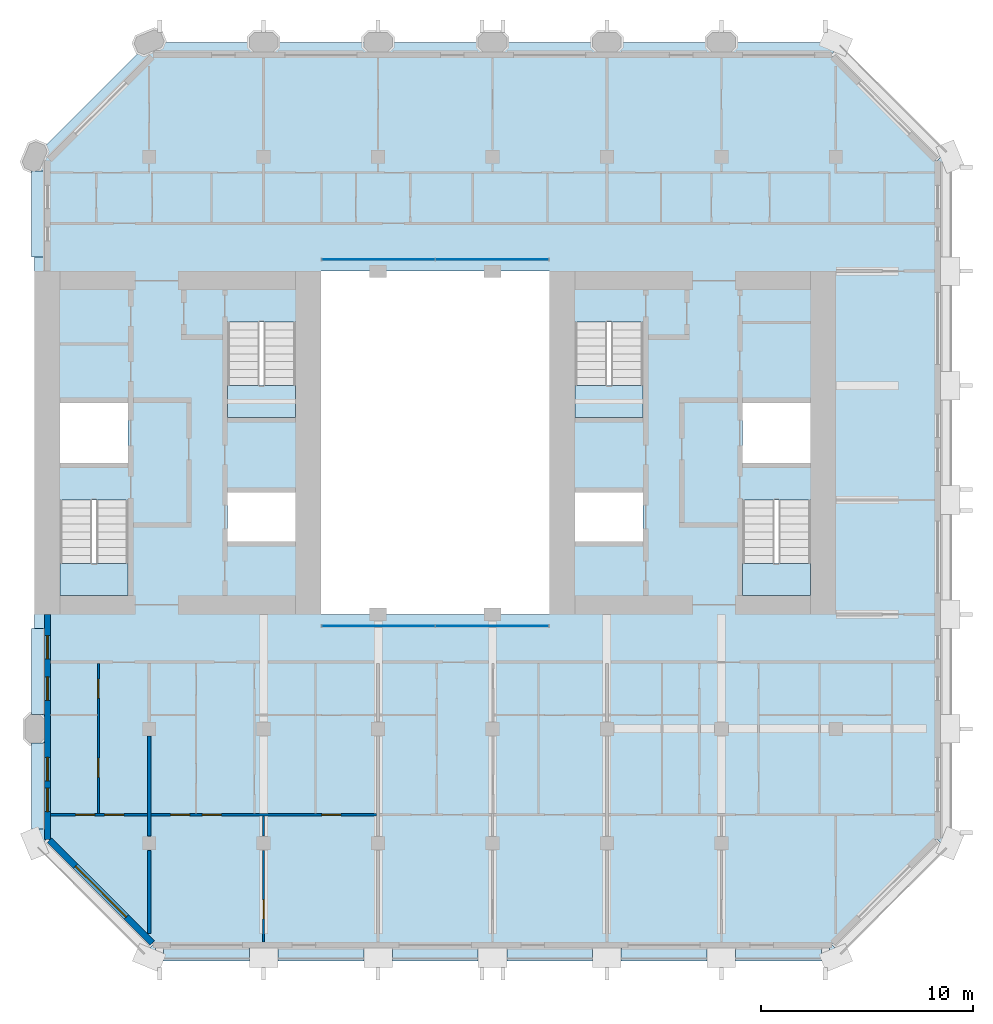
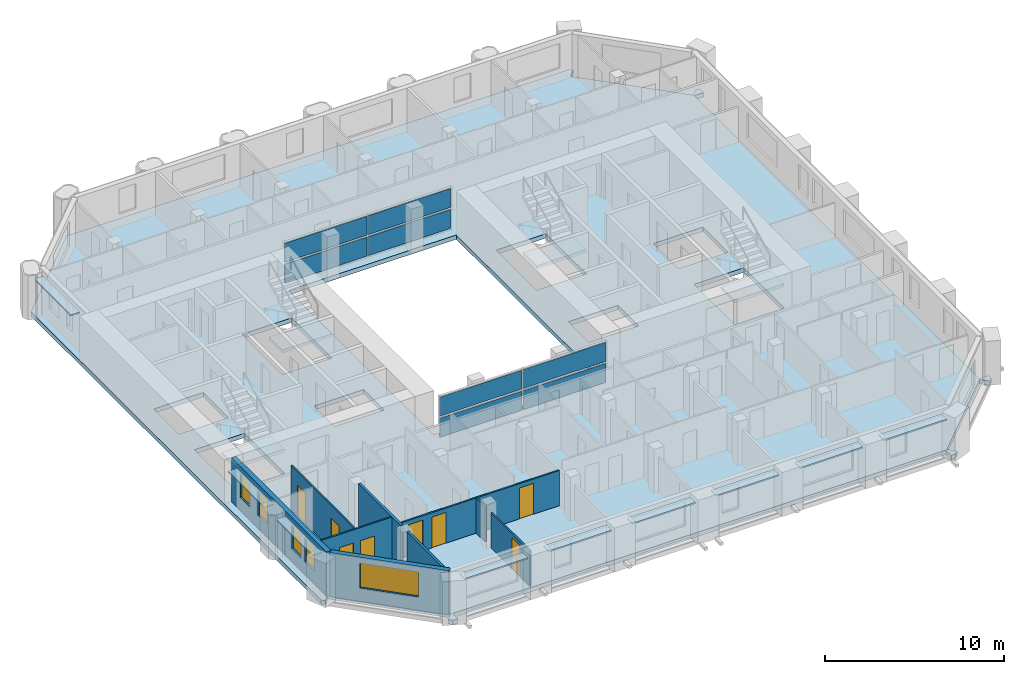
# One storey, part 5 of 13: 17 plates, 9 walls, 8 doors, 5 slabs, 5 windows, 13 openings, 6 elements without a shape of their own.
"""IFC4 building model written with IfcOpenShell, lengths in metres."""

from ifc_helpers import new_model, si_unit, direction, frame, frame_2d, origin, origin_2d, place, context, subcontext, project, spatial, polyline, rectangle, outline, extrude, material, layer, layer_set, type_object, element, fill, aggregate, save


model = new_model("IFC4")

# Units and contexts
model_context = context("Model", 3, precision=1e-05, world=origin(), true_north=direction((0.0, 1.0)))
body_context = subcontext(model_context, "Body", "Model", "MODEL_VIEW")
ifc_project = project(units=[si_unit("LENGTHUNIT", "METRE"), si_unit("AREAUNIT", "SQUARE_METRE"), si_unit("VOLUMEUNIT", "CUBIC_METRE"), si_unit("PLANEANGLEUNIT", "RADIAN"), si_unit("MASSUNIT", "GRAM", prefix="KILO")], contexts=[model_context])

# Site, building, storey
site_placement = place(None, origin())
site = spatial("IfcSite", under=ifc_project, at=site_placement, CompositionType="ELEMENT")
building_placement = place(site_placement, origin())
building = spatial("IfcBuilding", under=site, at=building_placement, Name="Tabaq Tower and Sports Hall", CompositionType="ELEMENT")
storey_placement = place(building_placement, frame((0.0, 0.0, 271.89990234375)))
storey = spatial("IfcBuildingStorey", under=building, at=storey_placement, Name="L66", CompositionType="ELEMENT", Elevation=271.89990234375)

# Curtain wall, plates
ifc_material_1 = material(Name="Aluminium alloy 6063-T6 framed glazing", Category="aluminium")
curtain_wall_type = type_object("IfcCurtainWallType", Name="CW1 curtain wall", PredefinedType="USERDEFINED", material=ifc_material_1)
curtain_wall_1_placement = place(storey_placement, origin())
curtain_wall_1 = element("IfcCurtainWall", 1, at=curtain_wall_1_placement, inside=storey, type_object=curtain_wall_type, Name="Atrium glazing L66 S", ObjectType="ATRIUM ENCLOSURE", PredefinedType="USERDEFINED")
ifc_material_2 = material(Name="Clear low-emissivity glass 28 mm", Category="glass")
ifc_layer_1 = layer(ifc_material_2, 0.028076171875)
ifc_layer_set_1 = layer_set([ifc_layer_1], Name="CW1 glass panel 28")
plate_type_1 = type_object("IfcPlateType", Name="CW1 glass panel 28", PredefinedType="CURTAIN_PANEL", material=ifc_layer_set_1)
plate_1_placement = place(storey_placement, frame((21.614990234375, 15.64990234375, 0.14013671875), z_axis=(0.0, 0.0, 1.0), x_axis=(1.0, 0.0, 0.0)))
plate_1 = element("IfcPlate", 2, at=plate_1_placement, type_object=plate_type_1, Name="CW1 panel 1.1", PredefinedType="CURTAIN_PANEL", context=body_context, shape_type="SweptSolid", body=[
    extrude(rectangle(XDim=5.31005859375, YDim=0.028076171875, at=origin_2d()), origin(), (0.0, 0.0, 1.0), 1.2900390625),
])
plate_2_placement = place(storey_placement, frame((21.614990234375, 15.64990234375, 1.570068359375), z_axis=(0.0, 0.0, 1.0), x_axis=(1.0, 0.0, 0.0)))
plate_2 = element("IfcPlate", 3, at=plate_2_placement, type_object=plate_type_1, Name="CW1 panel 1.2", PredefinedType="CURTAIN_PANEL", context=body_context, shape_type="SweptSolid", body=[
    extrude(rectangle(XDim=5.31005859375, YDim=0.028076171875, at=origin_2d()), origin(), (0.0, 0.0, 1.0), 1.2900390625),
])
plate_3_placement = place(storey_placement, frame((26.985107421875, 15.64990234375, 0.14013671875), z_axis=(0.0, 0.0, 1.0), x_axis=(1.0, 0.0, 0.0)))
plate_3 = element("IfcPlate", 4, at=plate_3_placement, type_object=plate_type_1, Name="CW1 panel 2.1", PredefinedType="CURTAIN_PANEL", context=body_context, shape_type="SweptSolid", body=[
    extrude(rectangle(XDim=5.31005859375, YDim=0.028076171875, at=origin_2d()), origin(), (0.0, 0.0, 1.0), 1.2900390625),
])
plate_4_placement = place(storey_placement, frame((26.985107421875, 15.64990234375, 1.570068359375), z_axis=(0.0, 0.0, 1.0), x_axis=(1.0, 0.0, 0.0)))
plate_4 = element("IfcPlate", 5, at=plate_4_placement, type_object=plate_type_1, Name="CW1 panel 2.2", PredefinedType="CURTAIN_PANEL", context=body_context, shape_type="SweptSolid", body=[
    extrude(rectangle(XDim=5.31005859375, YDim=0.028076171875, at=origin_2d()), origin(), (0.0, 0.0, 1.0), 1.2900390625),
])
aggregate(curtain_wall_1, [plate_1, plate_2, plate_3, plate_4])

curtain_wall_2_placement = place(storey_placement, origin())
curtain_wall_2 = element("IfcCurtainWall", 6, at=curtain_wall_2_placement, inside=storey, type_object=curtain_wall_type, Name="Atrium glazing L66 N", ObjectType="ATRIUM ENCLOSURE", PredefinedType="USERDEFINED")
plate_5_placement = place(storey_placement, frame((21.614990234375, 32.949951171875, 0.14013671875), z_axis=(0.0, 0.0, 1.0), x_axis=(1.0, 0.0, 0.0)))
plate_5 = element("IfcPlate", 7, at=plate_5_placement, type_object=plate_type_1, Name="CW1 panel 1.1", PredefinedType="CURTAIN_PANEL", context=body_context, shape_type="SweptSolid", body=[
    extrude(rectangle(XDim=5.31005859375, YDim=0.028076171875, at=origin_2d()), origin(), (0.0, 0.0, 1.0), 1.2900390625),
])
plate_6_placement = place(storey_placement, frame((21.614990234375, 32.949951171875, 1.570068359375), z_axis=(0.0, 0.0, 1.0), x_axis=(1.0, 0.0, 0.0)))
plate_6 = element("IfcPlate", 8, at=plate_6_placement, type_object=plate_type_1, Name="CW1 panel 1.2", PredefinedType="CURTAIN_PANEL", context=body_context, shape_type="SweptSolid", body=[
    extrude(rectangle(XDim=5.31005859375, YDim=0.028076171875, at=origin_2d()), origin(), (0.0, 0.0, 1.0), 1.2900390625),
])
plate_7_placement = place(storey_placement, frame((26.985107421875, 32.949951171875, 0.14013671875), z_axis=(0.0, 0.0, 1.0), x_axis=(1.0, 0.0, 0.0)))
plate_7 = element("IfcPlate", 9, at=plate_7_placement, type_object=plate_type_1, Name="CW1 panel 2.1", PredefinedType="CURTAIN_PANEL", context=body_context, shape_type="SweptSolid", body=[
    extrude(rectangle(XDim=5.31005859375, YDim=0.028076171875, at=origin_2d()), origin(), (0.0, 0.0, 1.0), 1.2900390625),
])
plate_8_placement = place(storey_placement, frame((26.985107421875, 32.949951171875, 1.570068359375), z_axis=(0.0, 0.0, 1.0), x_axis=(1.0, 0.0, 0.0)))
plate_8 = element("IfcPlate", 10, at=plate_8_placement, type_object=plate_type_1, Name="CW1 panel 2.2", PredefinedType="CURTAIN_PANEL", context=body_context, shape_type="SweptSolid", body=[
    extrude(rectangle(XDim=5.31005859375, YDim=0.028076171875, at=origin_2d()), origin(), (0.0, 0.0, 1.0), 1.2900390625),
])
aggregate(curtain_wall_2, [plate_5, plate_6, plate_7, plate_8])

# Stair, slab
ifc_material_3 = material(Name="Concrete C40/50", Category="concrete")
stair_type = type_object("IfcStairType", Name="Exit stair", PredefinedType="HALF_TURN_STAIR", material=ifc_material_3)
stair_1_placement = place(storey_placement, origin())
stair_1 = element("IfcStair", 11, at=stair_1_placement, inside=storey, type_object=stair_type, Name="L66 Exit stair ST1", PredefinedType="HALF_TURN_STAIR")
ifc_material_4 = material(Name="Concrete C40/50", Category="concrete")
ifc_layer_2 = layer(ifc_material_4, 0.199951171875)
ifc_layer_set_2 = layer_set([ifc_layer_2], Name="Exit stair landing")
slab_type_1 = type_object("IfcSlabType", Name="Exit stair landing", PredefinedType="LANDING", material=ifc_layer_set_2)
slab_1_placement = place(storey_placement, frame((0.0, 0.0, 1.4501953125)))
slab_1 = element("IfcSlab", 12, at=slab_1_placement, type_object=slab_type_1, Name="ST1 landing 1", PredefinedType="LANDING", context=body_context, shape_type="SweptSolid", body=[
    extrude(outline(polyline([(6.60009765625, 18.60009765625), (6.60009765625, 17.10009765625), (9.800048828125, 17.10009765625), (9.800048828125, 18.60009765625), (6.60009765625, 18.60009765625)])), origin(), (0.0, 0.0, 1.0), 0.199951171875),
])
aggregate(stair_1, [slab_1])

stair_2_placement = place(storey_placement, origin())
stair_2 = element("IfcStair", 13, at=stair_2_placement, inside=storey, type_object=stair_type, Name="L66 Exit stair ST2", PredefinedType="HALF_TURN_STAIR")
slab_2_placement = place(storey_placement, frame((0.0, 0.0, 1.4501953125)))
slab_2 = element("IfcSlab", 14, at=slab_2_placement, type_object=slab_type_1, Name="ST2 landing 1", PredefinedType="LANDING", context=body_context, shape_type="SweptSolid", body=[
    extrude(outline(polyline([(14.5, 27.0), (14.5, 25.5), (17.699951171875, 25.5), (17.699951171875, 27.0), (14.5, 27.0)])), origin(), (0.0, 0.0, 1.0), 0.199951171875),
])
aggregate(stair_2, [slab_2])

stair_3_placement = place(storey_placement, origin())
stair_3 = element("IfcStair", 15, at=stair_3_placement, inside=storey, type_object=stair_type, Name="L66 Exit stair ST3", PredefinedType="HALF_TURN_STAIR")
slab_3_placement = place(storey_placement, frame((0.0, 0.0, 1.4501953125)))
slab_3 = element("IfcSlab", 16, at=slab_3_placement, type_object=slab_type_1, Name="ST3 landing 1", PredefinedType="LANDING", context=body_context, shape_type="SweptSolid", body=[
    extrude(outline(polyline([(38.800048828125, 18.60009765625), (38.800048828125, 17.10009765625), (42.0, 17.10009765625), (42.0, 18.60009765625), (38.800048828125, 18.60009765625)])), origin(), (0.0, 0.0, 1.0), 0.199951171875),
])
aggregate(stair_3, [slab_3])

stair_4_placement = place(storey_placement, origin())
stair_4 = element("IfcStair", 17, at=stair_4_placement, inside=storey, type_object=stair_type, Name="L66 Exit stair ST4", PredefinedType="HALF_TURN_STAIR")
slab_4_placement = place(storey_placement, frame((0.0, 0.0, 1.4501953125)))
slab_4 = element("IfcSlab", 18, at=slab_4_placement, type_object=slab_type_1, Name="ST4 landing 1", PredefinedType="LANDING", context=body_context, shape_type="SweptSolid", body=[
    extrude(outline(polyline([(30.89990234375, 27.0), (30.89990234375, 25.5), (34.10009765625, 25.5), (34.10009765625, 27.0), (30.89990234375, 27.0)])), origin(), (0.0, 0.0, 1.0), 0.199951171875),
])
aggregate(stair_4, [slab_4])

# Slab
ifc_material_5 = material(Name="Concrete C40/50", Category="concrete")
ifc_layer_3 = layer(ifc_material_5, 0.300048828125)
ifc_layer_set_3 = layer_set([ifc_layer_3], Name="PT FLOOR SLAB 300 C40/50")
slab_type_2 = type_object("IfcSlabType", Name="PT FLOOR SLAB 300 C40/50", PredefinedType="FLOOR", material=ifc_layer_set_3)
slab_5_placement = place(storey_placement, frame((0.0, 0.0, -0.2998046875)))
element("IfcSlab", 19, at=slab_5_placement, inside=storey, type_object=slab_type_2, Name="Floor Slab L66", PredefinedType="FLOOR", context=body_context, shape_type="SweptSolid", body=[
    extrude(outline(polyline([(5.39990234375, 37.800048828125), (5.39990234375, 5.39990234375), (5.57666015625, 5.22314453125), (5.930419921875, 5.57666015625), (6.0009765625, 5.6474609375), (11.01318359375, 0.63525390625), (10.5888671875, 0.211181640625), (10.800048828125, 0.0), (11.0986328125, 0.0), (11.0986328125, 0.5), (11.0986328125, 0.60009765625), (42.9013671875, 0.60009765625), (42.9013671875, 0.5), (42.9013671875, 0.0), (43.199951171875, 0.0), (43.4111328125, 0.211181640625), (42.98681640625, 0.63525390625), (47.964599609375, 5.61328125), (48.035400390625, 5.54248046875), (48.388916015625, 5.18896484375), (48.60009765625, 5.39990234375), (48.60009765625, 5.698486328125), (48.10009765625, 5.698486328125), (48.0, 5.698486328125), (48.0, 37.50146484375), (48.10009765625, 37.50146484375), (48.60009765625, 37.50146484375), (48.60009765625, 37.800048828125), (48.388916015625, 38.010986328125), (48.035400390625, 37.657470703125), (47.964599609375, 37.5869140625), (42.952392578125, 42.598876953125), (43.023193359375, 42.669677734375), (43.376708984375, 43.023193359375), (43.199951171875, 43.199951171875), (10.800048828125, 43.199951171875), (5.39990234375, 37.800048828125)]), holes=[polyline([(6.60009765625, 21.599365234375), (9.800048828125, 21.599365234375), (9.800048828125, 17.10009765625), (6.60009765625, 17.10009765625), (6.60009765625, 21.599365234375)]), polyline([(38.800048828125, 21.599365234375), (42.0, 21.599365234375), (42.0, 17.10009765625), (38.800048828125, 17.10009765625), (38.800048828125, 21.599365234375)]), polyline([(14.5, 21.949951171875), (17.699951171875, 21.949951171875), (17.699951171875, 19.64990234375), (14.5, 19.64990234375), (14.5, 21.949951171875)]), polyline([(30.89990234375, 21.949951171875), (34.10009765625, 21.949951171875), (34.10009765625, 19.64990234375), (30.89990234375, 19.64990234375), (30.89990234375, 21.949951171875)]), polyline([(18.89990234375, 16.199951171875), (18.89990234375, 32.39990234375), (29.699951171875, 32.39990234375), (29.699951171875, 16.199951171875), (18.89990234375, 16.199951171875)]), polyline([(6.60009765625, 26.175048828125), (9.800048828125, 26.175048828125), (9.800048828125, 23.35009765625), (6.60009765625, 23.35009765625), (6.60009765625, 26.175048828125)]), polyline([(38.800048828125, 26.175048828125), (42.0, 26.175048828125), (42.0, 23.35009765625), (38.800048828125, 23.35009765625), (38.800048828125, 26.175048828125)]), polyline([(17.699951171875, 29.99951171875), (17.699951171875, 25.5), (14.5, 25.5), (14.5, 29.99951171875), (17.699951171875, 29.99951171875)]), polyline([(34.10009765625, 29.99951171875), (34.10009765625, 25.5), (30.89990234375, 25.5), (30.89990234375, 29.99951171875), (34.10009765625, 29.99951171875)])]), origin(), (0.0, 0.0, 1.0), 0.2998046875),
])

# Plates
ifc_material_6 = material(Name="White precast concrete C60/75 blade", Category="concrete")
ifc_layer_4 = layer(ifc_material_6, 0.10009765625)
ifc_layer_set_4 = layer_set([ifc_layer_4], Name="White precast concrete C60/75 sunshade 100")
plate_type_2 = type_object("IfcPlateType", Name="White precast concrete C60/75 sunshade 100", PredefinedType="USERDEFINED", material=ifc_layer_set_4)
for number, where, z_axis, x_axis, name in (
    (20, (13.5, 0.14990234375, 2.60009765625), (0.0, 0.0, 1.0), (1.0, 0.0, 0.0), "Sunshade L66 S"),
    (21, (18.89990234375, 0.14990234375, 2.60009765625), (0.0, 0.0, 1.0), (1.0, 0.0, 0.0), "Sunshade L66 S"),
    (22, (24.300048828125, 0.14990234375, 2.60009765625), (0.0, 0.0, 1.0), (1.0, 0.0, 0.0), "Sunshade L66 S"),
    (23, (29.699951171875, 0.14990234375, 2.60009765625), (0.0, 0.0, 1.0), (1.0, 0.0, 0.0), "Sunshade L66 S"),
    (24, (35.10009765625, 0.14990234375, 2.60009765625), (0.0, 0.0, 1.0), (1.0, 0.0, 0.0), "Sunshade L66 S"),
    (25, (40.5, 0.14990234375, 2.60009765625), (0.0, 0.0, 1.0), (1.0, 0.0, 0.0), "Sunshade L66 S"),
    (26, (5.550048828125, 35.10009765625, 2.60009765625), (0.0, 0.0, 1.0), (0.0, -1.0, 0.0), "Sunshade L66 W"),
    (27, (5.550048828125, 13.5, 2.60009765625), (0.0, 0.0, 1.0), (0.0, -1.0, 0.0), "Sunshade L66 W"),
    (28, (5.550048828125, 8.10009765625, 2.60009765625), (0.0, 0.0, 1.0), (0.0, -1.0, 0.0), "Sunshade L66 W"),
):
    element("IfcPlate", number, at=place(storey_placement, frame(where, z_axis=z_axis, x_axis=x_axis)), inside=storey, type_object=plate_type_2, Name=name, ObjectType="SUNSHADE", PredefinedType="USERDEFINED", context=body_context, shape_type="SweptSolid", body=[
        extrude(rectangle(XDim=4.050048828125, YDim=0.60009765625, at=origin_2d()), origin(), (0.0, 0.0, 1.0), 0.10009765625),
    ])

# Wall, openings, doors
ifc_material_7 = material(Name="Gypsum board on steel studs", Category="steel")
ifc_layer_5 = layer(ifc_material_7, 0.10009765625)
ifc_layer_set_5 = layer_set([ifc_layer_5], Name="Partition 100 Gypsum board")
wall_type_1 = type_object("IfcWallType", Name="Partition 100 Gypsum board", PredefinedType="PARTITIONING", material=ifc_layer_set_5)
wall_1_placement = place(storey_placement, frame((10.72509765625, 6.75, 0.0), z_axis=(0.0, 0.0, 1.0), x_axis=(-1.0, 0.0, 0.0)))
wall_1 = element("IfcWall", 29, at=wall_1_placement, inside=storey, type_object=wall_type_1, Name="Partition wall L66", PredefinedType="PARTITIONING", context=body_context, shape_type="SweptSolid", body=[
    extrude(rectangle(XDim=4.57421875, YDim=0.10009765625, at=frame_2d((2.287109375, 0.0))), origin(), (0.0, 0.0, 1.0), 3.0),
])
opening_1_placement = place(wall_1_placement, frame((2.4951171875, 0.0, 0.0)))
opening_1 = element("IfcOpeningElement", 30, at=opening_1_placement, cuts=wall_1, Name="Opening L66-036", PredefinedType="OPENING", context=body_context, shape_type="SweptSolid", body=[
    extrude(rectangle(XDim=0.89990234375, YDim=2.10009765625, at=frame_2d((0.449951171875, 1.050048828125))), frame((0.0, 0.050048828125, 0.0), z_axis=(0.0, -1.0, 0.0), x_axis=(1.0, 0.0, 0.0)), (0.0, 0.0, 1.0), 0.10009765625),
])
opening_2_placement = place(wall_1_placement, frame((1.125, 0.0, 0.0)))
opening_2 = element("IfcOpeningElement", 31, at=opening_2_placement, cuts=wall_1, Name="Opening L66-037", PredefinedType="OPENING", context=body_context, shape_type="SweptSolid", body=[
    extrude(rectangle(XDim=0.89990234375, YDim=2.10009765625, at=frame_2d((0.449951171875, 1.050048828125))), frame((0.0, 0.050048828125, 0.0), z_axis=(0.0, -1.0, 0.0), x_axis=(1.0, 0.0, 0.0)), (0.0, 0.0, 1.0), 0.10009765625),
])
ifc_material_8 = material(Name="Timber leaf in steel frame", Category="steel")
door_type_1 = type_object("IfcDoorType", Name="Internal door 900 left hand", OperationType="SINGLE_SWING_LEFT", PredefinedType="DOOR", material=ifc_material_8)
door_1_placement = place(opening_2_placement, origin())
door_1 = element("IfcDoor", 32, at=door_1_placement, inside=storey, type_object=door_type_1, Name="Internal door L66-037", OperationType="SINGLE_SWING_LEFT", OverallHeight=2.10009765625, OverallWidth=0.89990234375, PredefinedType="DOOR", context=body_context, shape_type="SweptSolid", body=[
    extrude(rectangle(XDim=0.89990234375, YDim=2.10009765625, at=frame_2d((0.449951171875, 1.050048828125))), frame((0.0, 0.02490234375, 0.0), z_axis=(0.0, -1.0, 0.0), x_axis=(1.0, 0.0, 0.0)), (0.0, 0.0, 1.0), 0.050048828125),
])
fill(opening_2, door_1)
ifc_material_9 = material(Name="Timber leaf in steel frame", Category="steel")
door_type_2 = type_object("IfcDoorType", Name="Internal door 900 right hand", OperationType="SINGLE_SWING_RIGHT", PredefinedType="DOOR", material=ifc_material_9)
door_2_placement = place(opening_1_placement, origin())
door_2 = element("IfcDoor", 33, at=door_2_placement, inside=storey, type_object=door_type_2, Name="Internal door L66-036", OperationType="SINGLE_SWING_RIGHT", OverallHeight=2.10009765625, OverallWidth=0.89990234375, PredefinedType="DOOR", context=body_context, shape_type="SweptSolid", body=[
    extrude(rectangle(XDim=0.89990234375, YDim=2.10009765625, at=frame_2d((0.449951171875, 1.050048828125))), frame((0.0, 0.02490234375, 0.0), z_axis=(0.0, -1.0, 0.0), x_axis=(1.0, 0.0, 0.0)), (0.0, 0.0, 1.0), 0.050048828125),
])
fill(opening_1, door_2)

wall_2_placement = place(storey_placement, frame((8.39990234375, 6.800048828125, 0.0), z_axis=(0.0, 0.0, 1.0), x_axis=(0.0, 1.0, 0.0)))
wall_2 = element("IfcWall", 34, at=wall_2_placement, inside=storey, type_object=wall_type_1, Name="Partition wall L66", PredefinedType="PARTITIONING", context=body_context, shape_type="SweptSolid", body=[
    extrude(rectangle(XDim=7.074951171875, YDim=0.10009765625, at=frame_2d((3.53759765625, 0.0))), origin(), (0.0, 0.0, 1.0), 3.0),
])
opening_3_placement = place(wall_2_placement, frame((5.449951171875, 0.0, 0.0)))
opening_3 = element("IfcOpeningElement", 35, at=opening_3_placement, cuts=wall_2, Name="Opening L66-014", PredefinedType="OPENING", context=body_context, shape_type="SweptSolid", body=[
    extrude(rectangle(XDim=0.89990234375, YDim=2.10009765625, at=frame_2d((0.449951171875, 1.050048828125))), frame((0.0, 0.050048828125, 0.0), z_axis=(0.0, -1.0, 0.0), x_axis=(1.0, 0.0, 0.0)), (0.0, 0.0, 1.0), 0.10009765625),
])
opening_4_placement = place(wall_2_placement, frame((1.717041015625, 0.0, 0.0)))
opening_4 = element("IfcOpeningElement", 36, at=opening_4_placement, cuts=wall_2, Name="Opening L66-038", PredefinedType="OPENING", context=body_context, shape_type="SweptSolid", body=[
    extrude(rectangle(XDim=0.89990234375, YDim=2.10009765625, at=frame_2d((0.449951171875, 1.050048828125))), frame((0.0, 0.050048828125, 0.0), z_axis=(0.0, -1.0, 0.0), x_axis=(1.0, 0.0, 0.0)), (0.0, 0.0, 1.0), 0.10009765625),
])
door_3_placement = place(opening_4_placement, origin())
door_3 = element("IfcDoor", 37, at=door_3_placement, inside=storey, type_object=door_type_1, Name="Internal door L66-038", OperationType="SINGLE_SWING_LEFT", OverallHeight=2.10009765625, OverallWidth=0.89990234375, PredefinedType="DOOR", context=body_context, shape_type="SweptSolid", body=[
    extrude(rectangle(XDim=0.89990234375, YDim=2.10009765625, at=frame_2d((0.449951171875, 1.050048828125))), frame((0.0, 0.02490234375, 0.0), z_axis=(0.0, -1.0, 0.0), x_axis=(1.0, 0.0, 0.0)), (0.0, 0.0, 1.0), 0.050048828125),
])
fill(opening_4, door_3)
door_4_placement = place(opening_3_placement, origin())
door_4 = element("IfcDoor", 38, at=door_4_placement, inside=storey, type_object=door_type_2, Name="Internal door L66-014", OperationType="SINGLE_SWING_RIGHT", OverallHeight=2.10009765625, OverallWidth=0.89990234375, PredefinedType="DOOR", context=body_context, shape_type="SweptSolid", body=[
    extrude(rectangle(XDim=0.89990234375, YDim=2.10009765625, at=frame_2d((0.449951171875, 1.050048828125))), frame((0.0, 0.02490234375, 0.0), z_axis=(0.0, -1.0, 0.0), x_axis=(1.0, 0.0, 0.0)), (0.0, 0.0, 1.0), 0.050048828125),
])
fill(opening_3, door_4)

# Wall, opening, door
wall_3_placement = place(storey_placement, frame((16.199951171875, 0.7509765625, 0.0), z_axis=(0.0, 0.0, 1.0), x_axis=(0.0, 1.0, 0.0)))
wall_3 = element("IfcWall", 39, at=wall_3_placement, inside=storey, type_object=wall_type_1, Name="Partition wall L66", PredefinedType="PARTITIONING", context=body_context, shape_type="SweptSolid", body=[
    extrude(rectangle(XDim=4.303955078125, YDim=0.10009765625, at=frame_2d((2.15185546875, 0.0))), origin(), (0.0, 0.0, 1.0), 2.400146484375),
])
opening_5_placement = place(wall_3_placement, frame((1.080078125, 0.0, 0.0)))
opening_5 = element("IfcOpeningElement", 40, at=opening_5_placement, cuts=wall_3, Name="Opening L66-039", PredefinedType="OPENING", context=body_context, shape_type="SweptSolid", body=[
    extrude(rectangle(XDim=0.89990234375, YDim=2.10009765625, at=frame_2d((0.449951171875, 1.050048828125))), frame((0.0, 0.050048828125, 0.0), z_axis=(0.0, -1.0, 0.0), x_axis=(1.0, 0.0, 0.0)), (0.0, 0.0, 1.0), 0.10009765625),
])
door_5_placement = place(opening_5_placement, origin())
door_5 = element("IfcDoor", 41, at=door_5_placement, inside=storey, type_object=door_type_1, Name="Internal door L66-039", OperationType="SINGLE_SWING_LEFT", OverallHeight=2.10009765625, OverallWidth=0.89990234375, PredefinedType="DOOR", context=body_context, shape_type="SweptSolid", body=[
    extrude(rectangle(XDim=0.89990234375, YDim=2.10009765625, at=frame_2d((0.449951171875, 1.050048828125))), frame((0.0, 0.02490234375, 0.0), z_axis=(0.0, -1.0, 0.0), x_axis=(1.0, 0.0, 0.0)), (0.0, 0.0, 1.0), 0.050048828125),
])
fill(opening_5, door_5)

# Wall
wall_4_placement = place(storey_placement, frame((16.199951171875, 5.7451171875, 0.0), z_axis=(0.0, 0.0, 1.0), x_axis=(0.0, 1.0, 0.0)))
element("IfcWall", 42, at=wall_4_placement, inside=storey, type_object=wall_type_1, Name="Partition wall L66", PredefinedType="PARTITIONING", context=body_context, shape_type="SweptSolid", body=[
    extrude(rectangle(XDim=0.954833984375, YDim=0.10009765625, at=frame_2d((0.4775390625, 0.0))), origin(), (0.0, 0.0, 1.0), 2.400146484375),
])

# Wall, openings, doors
wall_5_placement = place(storey_placement, frame((21.52490234375, 6.75, 0.0), z_axis=(0.0, 0.0, 1.0), x_axis=(-1.0, 0.0, 0.0)))
wall_5 = element("IfcWall", 43, at=wall_5_placement, inside=storey, type_object=wall_type_1, Name="Partition wall L66", PredefinedType="PARTITIONING", context=body_context, shape_type="SweptSolid", body=[
    extrude(rectangle(XDim=10.64990234375, YDim=0.10009765625, at=frame_2d((5.324951171875, 0.0))), origin(), (0.0, 0.0, 1.0), 2.400146484375),
])
opening_6_placement = place(wall_5_placement, frame((8.81298828125, 0.0, 0.0)))
opening_6 = element("IfcOpeningElement", 44, at=opening_6_placement, cuts=wall_5, Name="Opening L66-040", PredefinedType="OPENING", context=body_context, shape_type="SweptSolid", body=[
    extrude(rectangle(XDim=0.89990234375, YDim=2.10009765625, at=frame_2d((0.449951171875, 1.050048828125))), frame((0.0, 0.050048828125, 0.0), z_axis=(0.0, -1.0, 0.0), x_axis=(1.0, 0.0, 0.0)), (0.0, 0.0, 1.0), 0.10009765625),
])
opening_7_placement = place(wall_5_placement, frame((1.675048828125, 0.0, 0.0)))
opening_7 = element("IfcOpeningElement", 45, at=opening_7_placement, cuts=wall_5, Name="Opening L66-041", PredefinedType="OPENING", context=body_context, shape_type="SweptSolid", body=[
    extrude(rectangle(XDim=0.89990234375, YDim=2.10009765625, at=frame_2d((0.449951171875, 1.050048828125))), frame((0.0, 0.050048828125, 0.0), z_axis=(0.0, -1.0, 0.0), x_axis=(1.0, 0.0, 0.0)), (0.0, 0.0, 1.0), 0.10009765625),
])
opening_8_placement = place(wall_5_placement, frame((7.31298828125, 0.0, 0.0)))
opening_8 = element("IfcOpeningElement", 46, at=opening_8_placement, cuts=wall_5, Name="Opening L66-055", PredefinedType="OPENING", context=body_context, shape_type="SweptSolid", body=[
    extrude(rectangle(XDim=0.89990234375, YDim=2.10009765625, at=frame_2d((0.449951171875, 1.050048828125))), frame((0.0, 0.050048828125, 0.0), z_axis=(0.0, -1.0, 0.0), x_axis=(1.0, 0.0, 0.0)), (0.0, 0.0, 1.0), 0.10009765625),
])
door_6_placement = place(opening_7_placement, origin())
door_6 = element("IfcDoor", 47, at=door_6_placement, inside=storey, type_object=door_type_1, Name="Internal door L66-041", OperationType="SINGLE_SWING_LEFT", OverallHeight=2.10009765625, OverallWidth=0.89990234375, PredefinedType="DOOR", context=body_context, shape_type="SweptSolid", body=[
    extrude(rectangle(XDim=0.89990234375, YDim=2.10009765625, at=frame_2d((0.449951171875, 1.050048828125))), frame((0.0, 0.02490234375, 0.0), z_axis=(0.0, -1.0, 0.0), x_axis=(1.0, 0.0, 0.0)), (0.0, 0.0, 1.0), 0.050048828125),
])
fill(opening_7, door_6)
door_7_placement = place(opening_8_placement, origin())
door_7 = element("IfcDoor", 48, at=door_7_placement, inside=storey, type_object=door_type_1, Name="Internal door L66-055", OperationType="SINGLE_SWING_LEFT", OverallHeight=2.10009765625, OverallWidth=0.89990234375, PredefinedType="DOOR", context=body_context, shape_type="SweptSolid", body=[
    extrude(rectangle(XDim=0.89990234375, YDim=2.10009765625, at=frame_2d((0.449951171875, 1.050048828125))), frame((0.0, 0.02490234375, 0.0), z_axis=(0.0, -1.0, 0.0), x_axis=(1.0, 0.0, 0.0)), (0.0, 0.0, 1.0), 0.050048828125),
])
fill(opening_8, door_7)
door_8_placement = place(opening_6_placement, origin())
door_8 = element("IfcDoor", 49, at=door_8_placement, inside=storey, type_object=door_type_2, Name="Internal door L66-040", OperationType="SINGLE_SWING_RIGHT", OverallHeight=2.10009765625, OverallWidth=0.89990234375, PredefinedType="DOOR", context=body_context, shape_type="SweptSolid", body=[
    extrude(rectangle(XDim=0.89990234375, YDim=2.10009765625, at=frame_2d((0.449951171875, 1.050048828125))), frame((0.0, 0.02490234375, 0.0), z_axis=(0.0, -1.0, 0.0), x_axis=(1.0, 0.0, 0.0)), (0.0, 0.0, 1.0), 0.050048828125),
])
fill(opening_6, door_8)

# Walls
ifc_material_10 = material(Name="Blockwork", Category="masonry")
ifc_layer_6 = layer(ifc_material_10, 0.14990234375)
ifc_layer_set_6 = layer_set([ifc_layer_6], Name="Separating wall 150 Blockwork")
wall_type_2 = type_object("IfcWallType", Name="Separating wall 150 Blockwork", PredefinedType="PARTITIONING", material=ifc_layer_set_6)
wall_6_placement = place(storey_placement, frame((10.800048828125, 1.13720703125, 0.0), z_axis=(0.0, 0.0, 1.0), x_axis=(0.0, 1.0, 0.0)))
element("IfcWall", 50, at=wall_6_placement, inside=storey, type_object=wall_type_2, Name="Separating wall L66", PredefinedType="PARTITIONING", context=body_context, shape_type="SweptSolid", body=[
    extrude(rectangle(XDim=3.917724609375, YDim=0.14990234375, at=frame_2d((1.958984375, 0.0))), origin(), (0.0, 0.0, 1.0), 3.0),
])
wall_7_placement = place(storey_placement, frame((10.800048828125, 5.7451171875, 0.0), z_axis=(0.0, 0.0, 1.0), x_axis=(0.0, 1.0, 0.0)))
element("IfcWall", 51, at=wall_7_placement, inside=storey, type_object=wall_type_2, Name="Separating wall L66", PredefinedType="PARTITIONING", context=body_context, shape_type="SweptSolid", body=[
    extrude(rectangle(XDim=4.7099609375, YDim=0.14990234375, at=frame_2d((2.35498046875, 0.0))), origin(), (0.0, 0.0, 1.0), 3.0),
])

# Wall, openings, windows
ifc_material_11 = material(Name="White precast concrete C60/75", Category="concrete")
ifc_layer_7 = layer(ifc_material_11, 0.300048828125)
ifc_layer_set_7 = layer_set([ifc_layer_7], Name="White precast concrete C60/75 external wall 300")
wall_type_3 = type_object("IfcWallType", Name="White precast concrete C60/75 external wall 300", PredefinedType="SOLIDWALL", material=ifc_layer_set_7)
wall_8_placement = place(storey_placement, frame((6.0, 16.199951171875, 0.0), z_axis=(0.0, 0.0, 1.0), x_axis=(0.0, -1.0, 0.0)))
wall_8 = element("IfcWall", 52, at=wall_8_placement, inside=storey, type_object=wall_type_3, Name="External Wall L66 W", PredefinedType="SOLIDWALL", context=body_context, shape_type="SweptSolid", body=[
    extrude(rectangle(XDim=10.613525390625, YDim=0.300048828125, at=frame_2d((5.306640625, 0.0))), origin(), (0.0, 0.0, 1.0), 3.0),
])
opening_9_placement = place(wall_8_placement, frame((1.0, 0.0, 0.89990234375)))
opening_9 = element("IfcOpeningElement", 53, at=opening_9_placement, cuts=wall_8, Name="Opening W1B", PredefinedType="OPENING", context=body_context, shape_type="SweptSolid", body=[
    extrude(rectangle(XDim=1.10009765625, YDim=1.699951171875, at=frame_2d((0.550048828125, 0.85009765625))), frame((0.0, 0.16015625, 0.0), z_axis=(0.0, -1.0, 0.0), x_axis=(1.0, 0.0, 0.0)), (0.0, 0.0, 1.0), 0.320068359375),
])
opening_10_placement = place(wall_8_placement, frame((2.949951171875, 0.0, 0.89990234375)))
opening_10 = element("IfcOpeningElement", 54, at=opening_10_placement, cuts=wall_8, Name="Opening W1B", PredefinedType="OPENING", context=body_context, shape_type="SweptSolid", body=[
    extrude(rectangle(XDim=1.10009765625, YDim=1.699951171875, at=frame_2d((0.550048828125, 0.85009765625))), frame((0.0, 0.16015625, 0.0), z_axis=(0.0, -1.0, 0.0), x_axis=(1.0, 0.0, 0.0)), (0.0, 0.0, 1.0), 0.320068359375),
])
opening_11_placement = place(wall_8_placement, frame((6.75, 0.0, 0.89990234375)))
opening_11 = element("IfcOpeningElement", 55, at=opening_11_placement, cuts=wall_8, Name="Opening W1B", PredefinedType="OPENING", context=body_context, shape_type="SweptSolid", body=[
    extrude(rectangle(XDim=1.10009765625, YDim=1.699951171875, at=frame_2d((0.550048828125, 0.85009765625))), frame((0.0, 0.16015625, 0.0), z_axis=(0.0, -1.0, 0.0), x_axis=(1.0, 0.0, 0.0)), (0.0, 0.0, 1.0), 0.320068359375),
])
opening_12_placement = place(wall_8_placement, frame((8.199951171875, 0.0, 0.89990234375)))
opening_12 = element("IfcOpeningElement", 56, at=opening_12_placement, cuts=wall_8, Name="Opening W1B", PredefinedType="OPENING", context=body_context, shape_type="SweptSolid", body=[
    extrude(rectangle(XDim=1.10009765625, YDim=1.699951171875, at=frame_2d((0.550048828125, 0.85009765625))), frame((0.0, 0.16015625, 0.0), z_axis=(0.0, -1.0, 0.0), x_axis=(1.0, 0.0, 0.0)), (0.0, 0.0, 1.0), 0.320068359375),
])
ifc_material_12 = material(Name="Aluminium framed clear glazing", Category="aluminium")
window_type_1 = type_object("IfcWindowType", Name="Window W1B", PartitioningType="SINGLE_PANEL", PredefinedType="WINDOW", material=ifc_material_12)
window_1_placement = place(opening_9_placement, origin())
window_1 = element("IfcWindow", 57, at=window_1_placement, inside=storey, type_object=window_type_1, Name="Window W1B L66", OverallHeight=1.699951171875, OverallWidth=1.10009765625, PartitioningType="SINGLE_PANEL", PredefinedType="WINDOW", context=body_context, shape_type="SweptSolid", body=[
    extrude(rectangle(XDim=1.10009765625, YDim=1.699951171875, at=frame_2d((0.550048828125, 0.85009765625))), frame((0.0, 0.030029296875, 0.0), z_axis=(0.0, -1.0, 0.0), x_axis=(1.0, 0.0, 0.0)), (0.0, 0.0, 1.0), 0.06005859375),
])
fill(opening_9, window_1)
window_2_placement = place(opening_10_placement, origin())
window_2 = element("IfcWindow", 58, at=window_2_placement, inside=storey, type_object=window_type_1, Name="Window W1B L66", OverallHeight=1.699951171875, OverallWidth=1.10009765625, PartitioningType="SINGLE_PANEL", PredefinedType="WINDOW", context=body_context, shape_type="SweptSolid", body=[
    extrude(rectangle(XDim=1.10009765625, YDim=1.699951171875, at=frame_2d((0.550048828125, 0.85009765625))), frame((0.0, 0.030029296875, 0.0), z_axis=(0.0, -1.0, 0.0), x_axis=(1.0, 0.0, 0.0)), (0.0, 0.0, 1.0), 0.06005859375),
])
fill(opening_10, window_2)
window_3_placement = place(opening_11_placement, origin())
window_3 = element("IfcWindow", 59, at=window_3_placement, inside=storey, type_object=window_type_1, Name="Window W1B L66", OverallHeight=1.699951171875, OverallWidth=1.10009765625, PartitioningType="SINGLE_PANEL", PredefinedType="WINDOW", context=body_context, shape_type="SweptSolid", body=[
    extrude(rectangle(XDim=1.10009765625, YDim=1.699951171875, at=frame_2d((0.550048828125, 0.85009765625))), frame((0.0, 0.030029296875, 0.0), z_axis=(0.0, -1.0, 0.0), x_axis=(1.0, 0.0, 0.0)), (0.0, 0.0, 1.0), 0.06005859375),
])
fill(opening_11, window_3)
window_4_placement = place(opening_12_placement, origin())
window_4 = element("IfcWindow", 60, at=window_4_placement, inside=storey, type_object=window_type_1, Name="Window W1B L66", OverallHeight=1.699951171875, OverallWidth=1.10009765625, PartitioningType="SINGLE_PANEL", PredefinedType="WINDOW", context=body_context, shape_type="SweptSolid", body=[
    extrude(rectangle(XDim=1.10009765625, YDim=1.699951171875, at=frame_2d((0.550048828125, 0.85009765625))), frame((0.0, 0.030029296875, 0.0), z_axis=(0.0, -1.0, 0.0), x_axis=(1.0, 0.0, 0.0)), (0.0, 0.0, 1.0), 0.06005859375),
])
fill(opening_12, window_4)

# Wall, opening, window
wall_9_placement = place(storey_placement, frame((6.098876953125, 5.549560546875, 0.0), z_axis=(0.0, 0.0, 1.0), x_axis=(0.707106781187, -0.707106781187, 0.0)))
wall_9 = element("IfcWall", 61, at=wall_9_placement, inside=storey, type_object=wall_type_3, Name="External Wall L66 SW", PredefinedType="SOLIDWALL", context=body_context, shape_type="SweptSolid", body=[
    extrude(rectangle(XDim=6.85986328125, YDim=0.300048828125, at=frame_2d((3.429931640625, 0.0))), origin(), (0.0, 0.0, 1.0), 3.0),
])
opening_13_placement = place(wall_9_placement, frame((1.729736328125, 0.0, 0.89990234375)))
opening_13 = element("IfcOpeningElement", 62, at=opening_13_placement, cuts=wall_9, Name="Opening W1A", PredefinedType="OPENING", context=body_context, shape_type="SweptSolid", body=[
    extrude(rectangle(XDim=3.39990234375, YDim=1.699951171875, at=frame_2d((1.699951171875, 0.85009765625))), frame((0.0, 0.16015625, 0.0), z_axis=(0.0, -1.0, 0.0), x_axis=(1.0, 0.0, 0.0)), (0.0, 0.0, 1.0), 0.320068359375),
])
ifc_material_13 = material(Name="Aluminium framed clear glazing", Category="aluminium")
window_type_2 = type_object("IfcWindowType", Name="Window W1A", PartitioningType="SINGLE_PANEL", PredefinedType="WINDOW", material=ifc_material_13)
window_5_placement = place(opening_13_placement, origin())
window_5 = element("IfcWindow", 63, at=window_5_placement, inside=storey, type_object=window_type_2, Name="Window W1A L66", OverallHeight=1.699951171875, OverallWidth=3.39990234375, PartitioningType="SINGLE_PANEL", PredefinedType="WINDOW", context=body_context, shape_type="SweptSolid", body=[
    extrude(rectangle(XDim=3.39990234375, YDim=1.699951171875, at=frame_2d((1.699951171875, 0.85009765625))), frame((0.0, 0.030029296875, 0.0), z_axis=(0.0, -1.0, 0.0), x_axis=(1.0, 0.0, 0.0)), (0.0, 0.0, 1.0), 0.06005859375),
])
fill(opening_13, window_5)

save(model, "model.ifc")
